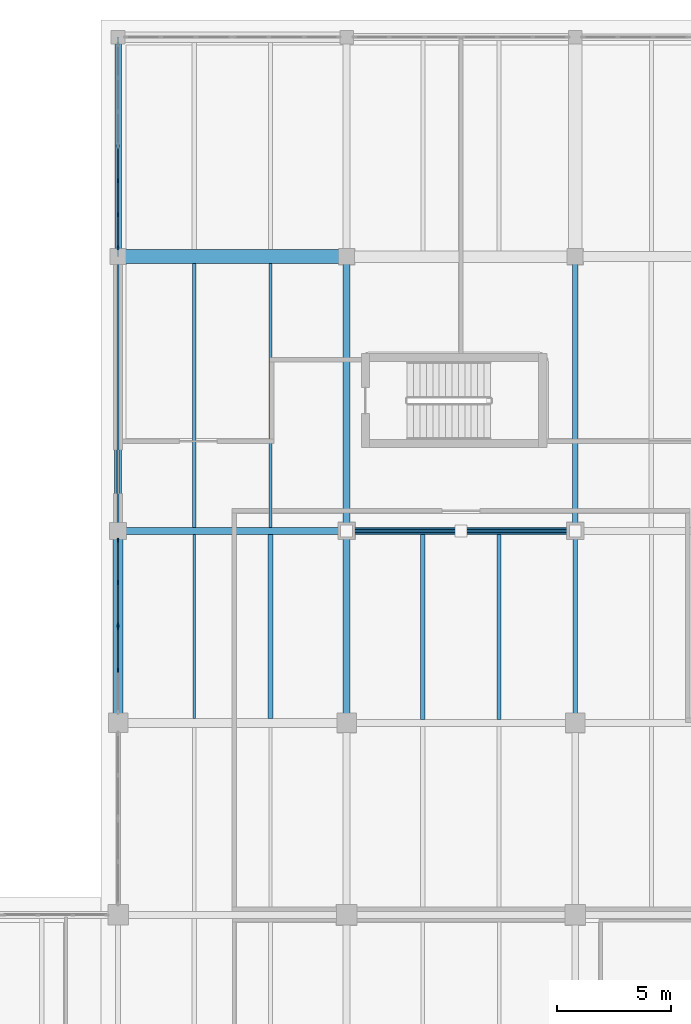
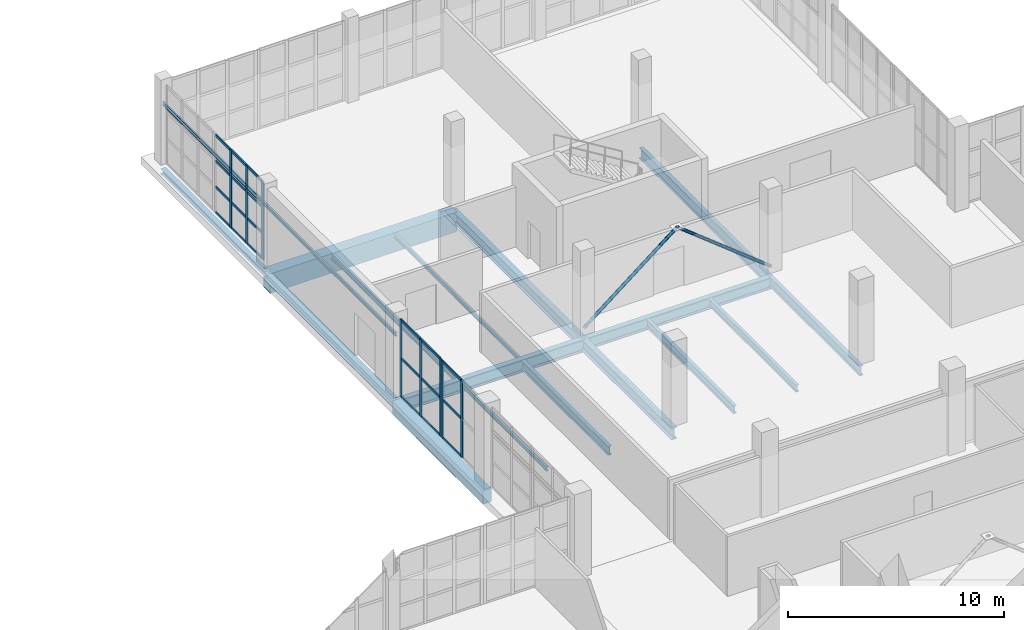
# One storey, part 38 of 121: 31 members, 18 beams, 3 elements without a shape of their own.
"""IFC4 building model written with IfcOpenShell, lengths in metres."""

from ifc_helpers import new_model, si_unit, direction, frame, origin, origin_2d, place, context, subcontext, project, spatial, rectangle, hollow_circle, i_section, extrude, material, layer, layer_set, material_profile, profile_set, type_object, element, aggregate, save


model = new_model("IFC4")

# Units and contexts
model_context = context("Model", 3, precision=1e-05, world=origin(), true_north=direction((0.0, 1.0)))
body_context = subcontext(model_context, "Body", "Model", "MODEL_VIEW")
ifc_project = project(units=[si_unit("LENGTHUNIT", "METRE"), si_unit("AREAUNIT", "SQUARE_METRE"), si_unit("VOLUMEUNIT", "CUBIC_METRE"), si_unit("PLANEANGLEUNIT", "RADIAN"), si_unit("MASSUNIT", "GRAM", prefix="KILO")], contexts=[model_context])

# Site, building, storey
site_placement = place(None, origin())
site = spatial("IfcSite", under=ifc_project, at=site_placement, CompositionType="ELEMENT")
building_placement = place(site_placement, origin())
building = spatial("IfcBuilding", under=site, at=building_placement, Name="Zereglee Splitstone Museum", CompositionType="ELEMENT")
storey_placement = place(building_placement, origin())
storey = spatial("IfcBuildingStorey", under=building, at=storey_placement, Name="L00", CompositionType="ELEMENT", Elevation=0.0)

# Beam
ifc_material_1 = material(Name="Concrete C40/50", Category="concrete")
ifc_material_profile_1 = material_profile(ifc_material_1, rectangle(XDim=0.60009765625, YDim=1.10009765625, at=origin_2d()), Name="RC 600x1100")
ifc_profile_set_1 = profile_set([ifc_material_profile_1], Name="Concrete C40/50")
beam_type_1 = type_object("IfcBeamType", Name="BG-01", PredefinedType="BEAM", material=ifc_profile_set_1)
beam_1_placement = place(storey_placement, frame((175.199951171875, 50.39990234375, -0.969970703125), z_axis=(1.0, 0.0, 0.0), x_axis=(0.0, 1.0, 0.0)))
element("IfcBeam", 1, at=beam_1_placement, inside=storey, type_object=beam_type_1, Name="Primary Girder L00 F (175.2-185.2)", PredefinedType="BEAM", context=body_context, shape_type="SweptSolid", body=[
    extrude(rectangle(XDim=0.60009765625, YDim=1.10009765625, at=origin_2d()), origin(), (0.0, 0.0, 1.0), 10.0),
])

# Members
ifc_material_2 = material(Name="Steel S355J2H", Category="steel")
ifc_material_profile_2 = material_profile(ifc_material_2, hollow_circle(Radius=0.084228515625, WallThickness=0.008056640625, at=origin_2d()), Name="CHS 168.3x8")
ifc_profile_set_2 = profile_set([ifc_material_profile_2], Name="Steel S355J2H")
member_type_1 = type_object("IfcMemberType", Name="TB-05", PredefinedType="BRACE", material=ifc_profile_set_2)
for number, where, z_axis, x_axis, name in (
    (2, (185.199951171875, 38.39990234375, 0.1201171875), (0.783921621613, 0.0, 0.620859799929), (0.0, 1.0, 0.0), "Lateral Braced Frame Chevron L00-019A"),
    (3, (195.199951171875, 38.39990234375, 0.1201171875), (-0.783921621613, 0.0, 0.620859799929), (0.0, -1.0, 0.0), "Lateral Braced Frame Chevron L00-019B"),
):
    element("IfcMember", number, at=place(storey_placement, frame(where, z_axis=z_axis, x_axis=x_axis)), inside=storey, type_object=member_type_1, Name=name, PredefinedType="BRACE", context=body_context, shape_type="SweptSolid", body=[
        extrude(hollow_circle(Radius=0.084228515625, WallThickness=0.008056640625, at=origin_2d()), origin(), (0.0, 0.0, 1.0), 6.378173828125),
    ])

# Curtain wall, members
ifc_material_3 = material(Name="Triple-glazed low-E argon glass and bronze-anodised aluminium", Category="aluminium")
ifc_layer_1 = layer(ifc_material_3, 0.179931640625)
ifc_layer_set_1 = layer_set([ifc_layer_1], Name="Triple-glazed low-E argon glass and bronze-anodised aluminium")
curtain_wall_type_1 = type_object("IfcCurtainWallType", Name="CW-0443-442", PredefinedType="USERDEFINED", material=ifc_layer_set_1)
curtain_wall_1_placement = place(storey_placement, origin())
curtain_wall_1 = element("IfcCurtainWall", 4, at=curtain_wall_1_placement, inside=storey, type_object=curtain_wall_type_1, Name="Glazed Curtain Wall CW-0443-442 (L00)", ObjectType="GLAZED CURTAIN WALL", PredefinedType="USERDEFINED")
ifc_material_4 = material(Name="Thermally broken bronze-anodised aluminium", Category="aluminium")
ifc_material_profile_3 = material_profile(ifc_material_4, rectangle(XDim=0.06494140625, YDim=0.179931640625, at=origin_2d()), Name="CW MULL 65x180")
ifc_profile_set_3 = profile_set([ifc_material_profile_3], Name="Thermally broken bronze-anodised aluminium")
member_type_2 = type_object("IfcMemberType", Name="CWM-01", PredefinedType="MULLION", material=ifc_profile_set_3)
member_1_placement = place(storey_placement, frame((175.199951171875, 53.709228515625, 0.0), z_axis=(0.0, 0.0, 1.0), x_axis=(1.0, 0.0, 0.0)))
member_1 = element("IfcMember", 5, at=member_1_placement, type_object=member_type_2, Name="CW-0443-442 mullion 2", PredefinedType="MULLION", context=body_context, shape_type="SweptSolid", body=[
    extrude(rectangle(XDim=0.06494140625, YDim=0.179931640625, at=origin_2d()), origin(), (0.0, 0.0, 1.0), 4.419921875),
])
member_2_placement = place(storey_placement, frame((175.199951171875, 52.233642578125, 0.0), z_axis=(0.0, 0.0, 1.0), x_axis=(1.0, 0.0, 0.0)))
member_2 = element("IfcMember", 6, at=member_2_placement, type_object=member_type_2, Name="CW-0443-442 mullion 3", PredefinedType="MULLION", context=body_context, shape_type="SweptSolid", body=[
    extrude(rectangle(XDim=0.06494140625, YDim=0.179931640625, at=origin_2d()), origin(), (0.0, 0.0, 1.0), 4.419921875),
])
member_3_placement = place(storey_placement, frame((175.199951171875, 50.79052734375, 0.0), z_axis=(0.0, 0.0, 1.0), x_axis=(1.0, 0.0, 0.0)))
member_3 = element("IfcMember", 7, at=member_3_placement, type_object=member_type_2, Name="CW-0443-442 mullion 4", PredefinedType="MULLION", context=body_context, shape_type="SweptSolid", body=[
    extrude(rectangle(XDim=0.06494140625, YDim=0.179931640625, at=origin_2d()), origin(), (0.0, 0.0, 1.0), 4.419921875),
])

ifc_layer_2 = layer(ifc_material_3, 0.179931640625)
ifc_layer_set_2 = layer_set([ifc_layer_2], Name="Triple-glazed low-E argon glass and bronze-anodised aluminium")
curtain_wall_type_2 = type_object("IfcCurtainWallType", Name="CW-0375-438", PredefinedType="USERDEFINED", material=ifc_layer_set_2)
curtain_wall_2_placement = place(storey_placement, origin())
curtain_wall_2 = element("IfcCurtainWall", 8, at=curtain_wall_2_placement, inside=storey, type_object=curtain_wall_type_2, Name="Glazed Curtain Wall CW-0375-438 (L00)", ObjectType="GLAZED CURTAIN WALL", PredefinedType="USERDEFINED")
member_4_placement = place(storey_placement, frame((175.199951171875, 37.984619140625, 0.0), z_axis=(0.0, 0.0, 1.0), x_axis=(1.0, 0.0, 0.0)))
member_4 = element("IfcMember", 9, at=member_4_placement, type_object=member_type_2, Name="CW-0375-438 mullion 1", PredefinedType="MULLION", context=body_context, shape_type="SweptSolid", body=[
    extrude(rectangle(XDim=0.06494140625, YDim=0.179931640625, at=origin_2d()), origin(), (0.0, 0.0, 1.0), 4.3798828125),
])
member_5_placement = place(storey_placement, frame((175.199951171875, 36.14111328125, 0.0), z_axis=(0.0, 0.0, 1.0), x_axis=(1.0, 0.0, 0.0)))
member_5 = element("IfcMember", 10, at=member_5_placement, type_object=member_type_2, Name="CW-0375-438 mullion 2", PredefinedType="MULLION", context=body_context, shape_type="SweptSolid", body=[
    extrude(rectangle(XDim=0.06494140625, YDim=0.179931640625, at=origin_2d()), origin(), (0.0, 0.0, 1.0), 4.3798828125),
])
member_6_placement = place(storey_placement, frame((175.199951171875, 34.297607421875, 0.0), z_axis=(0.0, 0.0, 1.0), x_axis=(1.0, 0.0, 0.0)))
member_6 = element("IfcMember", 11, at=member_6_placement, type_object=member_type_2, Name="CW-0375-438 mullion 3", PredefinedType="MULLION", context=body_context, shape_type="SweptSolid", body=[
    extrude(rectangle(XDim=0.06494140625, YDim=0.179931640625, at=origin_2d()), origin(), (0.0, 0.0, 1.0), 4.3798828125),
])

ifc_layer_3 = layer(ifc_material_3, 0.179931640625)
ifc_layer_set_3 = layer_set([ifc_layer_3], Name="Triple-glazed low-E argon glass and bronze-anodised aluminium")
curtain_wall_type_3 = type_object("IfcCurtainWallType", Name="CW-0375-436", PredefinedType="USERDEFINED", material=ifc_layer_set_3)
curtain_wall_3_placement = place(storey_placement, origin())
curtain_wall_3 = element("IfcCurtainWall", 12, at=curtain_wall_3_placement, inside=storey, type_object=curtain_wall_type_3, Name="Glazed Curtain Wall CW-0375-436 (L00)", ObjectType="GLAZED CURTAIN WALL", PredefinedType="USERDEFINED")
member_7_placement = place(storey_placement, frame((175.199951171875, 34.152587890625, 0.0), z_axis=(0.0, 0.0, 1.0), x_axis=(1.0, 0.0, 0.0)))
member_7 = element("IfcMember", 13, at=member_7_placement, type_object=member_type_2, Name="CW-0375-436 mullion 1", PredefinedType="MULLION", context=body_context, shape_type="SweptSolid", body=[
    extrude(rectangle(XDim=0.06494140625, YDim=0.179931640625, at=origin_2d()), origin(), (0.0, 0.0, 1.0), 4.360107421875),
])
member_8_placement = place(storey_placement, frame((175.199951171875, 32.30908203125, 0.0), z_axis=(0.0, 0.0, 1.0), x_axis=(1.0, 0.0, 0.0)))
member_8 = element("IfcMember", 14, at=member_8_placement, type_object=member_type_2, Name="CW-0375-436 mullion 2", PredefinedType="MULLION", context=body_context, shape_type="SweptSolid", body=[
    extrude(rectangle(XDim=0.06494140625, YDim=0.179931640625, at=origin_2d()), origin(), (0.0, 0.0, 1.0), 4.360107421875),
])

# Member
ifc_material_profile_4 = material_profile(ifc_material_4, rectangle(XDim=0.06494140625, YDim=0.139892578125, at=origin_2d()), Name="CW TRAN 65x140")
ifc_profile_set_4 = profile_set([ifc_material_profile_4], Name="Thermally broken bronze-anodised aluminium")
member_type_3 = type_object("IfcMemberType", Name="CWT-01", PredefinedType="USERDEFINED", material=ifc_profile_set_4)
member_9_placement = place(storey_placement, frame((175.199951171875, 55.1201171875, 0.032470703125), z_axis=(0.0, -1.0, 0.0), x_axis=(1.0, 0.0, 0.0)))
member_9 = element("IfcMember", 15, at=member_9_placement, type_object=member_type_3, Name="CW-0443-442 transom 1.1", ObjectType="TRANSOM", PredefinedType="USERDEFINED", context=body_context, shape_type="SweptSolid", body=[
    extrude(rectangle(XDim=0.06494140625, YDim=0.139892578125, at=origin_2d()), origin(), (0.0, 0.0, 1.0), 1.378173828125),
])

member_10_placement = place(storey_placement, frame((175.199951171875, 55.1201171875, 1.473388671875), z_axis=(0.0, -1.0, 0.0), x_axis=(1.0, 0.0, 0.0)))
member_10 = element("IfcMember", 16, at=member_10_placement, type_object=member_type_3, Name="CW-0443-442 transom 1.2", ObjectType="TRANSOM", PredefinedType="USERDEFINED", context=body_context, shape_type="SweptSolid", body=[
    extrude(rectangle(XDim=0.06494140625, YDim=0.139892578125, at=origin_2d()), origin(), (0.0, 0.0, 1.0), 1.378173828125),
])

member_11_placement = place(storey_placement, frame((175.199951171875, 55.1201171875, 2.94677734375), z_axis=(0.0, -1.0, 0.0), x_axis=(1.0, 0.0, 0.0)))
member_11 = element("IfcMember", 17, at=member_11_placement, type_object=member_type_3, Name="CW-0443-442 transom 1.3", ObjectType="TRANSOM", PredefinedType="USERDEFINED", context=body_context, shape_type="SweptSolid", body=[
    extrude(rectangle(XDim=0.06494140625, YDim=0.139892578125, at=origin_2d()), origin(), (0.0, 0.0, 1.0), 1.378173828125),
])

member_12_placement = place(storey_placement, frame((175.199951171875, 55.1201171875, 4.387451171875), z_axis=(0.0, -1.0, 0.0), x_axis=(1.0, 0.0, 0.0)))
member_12 = element("IfcMember", 18, at=member_12_placement, type_object=member_type_3, Name="CW-0443-442 transom 1.4", ObjectType="TRANSOM", PredefinedType="USERDEFINED", context=body_context, shape_type="SweptSolid", body=[
    extrude(rectangle(XDim=0.06494140625, YDim=0.139892578125, at=origin_2d()), origin(), (0.0, 0.0, 1.0), 1.378173828125),
])

member_13_placement = place(storey_placement, frame((175.199951171875, 53.6767578125, 0.032470703125), z_axis=(0.0, -1.0, 0.0), x_axis=(1.0, 0.0, 0.0)))
member_13 = element("IfcMember", 19, at=member_13_placement, type_object=member_type_3, Name="CW-0443-442 transom 2.1", ObjectType="TRANSOM", PredefinedType="USERDEFINED", context=body_context, shape_type="SweptSolid", body=[
    extrude(rectangle(XDim=0.06494140625, YDim=0.139892578125, at=origin_2d()), origin(), (0.0, 0.0, 1.0), 1.41064453125),
])

member_14_placement = place(storey_placement, frame((175.199951171875, 53.6767578125, 1.473388671875), z_axis=(0.0, -1.0, 0.0), x_axis=(1.0, 0.0, 0.0)))
member_14 = element("IfcMember", 20, at=member_14_placement, type_object=member_type_3, Name="CW-0443-442 transom 2.2", ObjectType="TRANSOM", PredefinedType="USERDEFINED", context=body_context, shape_type="SweptSolid", body=[
    extrude(rectangle(XDim=0.06494140625, YDim=0.139892578125, at=origin_2d()), origin(), (0.0, 0.0, 1.0), 1.41064453125),
])

member_15_placement = place(storey_placement, frame((175.199951171875, 53.6767578125, 2.94677734375), z_axis=(0.0, -1.0, 0.0), x_axis=(1.0, 0.0, 0.0)))
member_15 = element("IfcMember", 21, at=member_15_placement, type_object=member_type_3, Name="CW-0443-442 transom 2.3", ObjectType="TRANSOM", PredefinedType="USERDEFINED", context=body_context, shape_type="SweptSolid", body=[
    extrude(rectangle(XDim=0.06494140625, YDim=0.139892578125, at=origin_2d()), origin(), (0.0, 0.0, 1.0), 1.41064453125),
])

member_16_placement = place(storey_placement, frame((175.199951171875, 53.6767578125, 4.387451171875), z_axis=(0.0, -1.0, 0.0), x_axis=(1.0, 0.0, 0.0)))
member_16 = element("IfcMember", 22, at=member_16_placement, type_object=member_type_3, Name="CW-0443-442 transom 2.4", ObjectType="TRANSOM", PredefinedType="USERDEFINED", context=body_context, shape_type="SweptSolid", body=[
    extrude(rectangle(XDim=0.06494140625, YDim=0.139892578125, at=origin_2d()), origin(), (0.0, 0.0, 1.0), 1.41064453125),
])

member_17_placement = place(storey_placement, frame((175.199951171875, 52.201171875, 0.032470703125), z_axis=(0.0, -1.0, 0.0), x_axis=(1.0, 0.0, 0.0)))
member_17 = element("IfcMember", 23, at=member_17_placement, type_object=member_type_3, Name="CW-0443-442 transom 3.1", ObjectType="TRANSOM", PredefinedType="USERDEFINED", context=body_context, shape_type="SweptSolid", body=[
    extrude(rectangle(XDim=0.06494140625, YDim=0.139892578125, at=origin_2d()), origin(), (0.0, 0.0, 1.0), 1.378173828125),
])

member_18_placement = place(storey_placement, frame((175.199951171875, 52.201171875, 1.473388671875), z_axis=(0.0, -1.0, 0.0), x_axis=(1.0, 0.0, 0.0)))
member_18 = element("IfcMember", 24, at=member_18_placement, type_object=member_type_3, Name="CW-0443-442 transom 3.2", ObjectType="TRANSOM", PredefinedType="USERDEFINED", context=body_context, shape_type="SweptSolid", body=[
    extrude(rectangle(XDim=0.06494140625, YDim=0.139892578125, at=origin_2d()), origin(), (0.0, 0.0, 1.0), 1.378173828125),
])

member_19_placement = place(storey_placement, frame((175.199951171875, 52.201171875, 2.94677734375), z_axis=(0.0, -1.0, 0.0), x_axis=(1.0, 0.0, 0.0)))
member_19 = element("IfcMember", 25, at=member_19_placement, type_object=member_type_3, Name="CW-0443-442 transom 3.3", ObjectType="TRANSOM", PredefinedType="USERDEFINED", context=body_context, shape_type="SweptSolid", body=[
    extrude(rectangle(XDim=0.06494140625, YDim=0.139892578125, at=origin_2d()), origin(), (0.0, 0.0, 1.0), 1.378173828125),
])

member_20_placement = place(storey_placement, frame((175.199951171875, 52.201171875, 4.387451171875), z_axis=(0.0, -1.0, 0.0), x_axis=(1.0, 0.0, 0.0)))
member_20 = element("IfcMember", 26, at=member_20_placement, type_object=member_type_3, Name="CW-0443-442 transom 3.4", ObjectType="TRANSOM", PredefinedType="USERDEFINED", context=body_context, shape_type="SweptSolid", body=[
    extrude(rectangle(XDim=0.06494140625, YDim=0.139892578125, at=origin_2d()), origin(), (0.0, 0.0, 1.0), 1.378173828125),
])

aggregate(curtain_wall_1, [member_1, member_2, member_3, member_9, member_10, member_11, member_12, member_13, member_14, member_15, member_16, member_17, member_18, member_19, member_20])

member_21_placement = place(storey_placement, frame((175.199951171875, 37.951904296875, 0.032470703125), z_axis=(0.0, -1.0, 0.0), x_axis=(1.0, 0.0, 0.0)))
member_21 = element("IfcMember", 27, at=member_21_placement, type_object=member_type_3, Name="CW-0375-438 transom 1.1", ObjectType="TRANSOM", PredefinedType="USERDEFINED", context=body_context, shape_type="SweptSolid", body=[
    extrude(rectangle(XDim=0.06494140625, YDim=0.139892578125, at=origin_2d()), origin(), (0.0, 0.0, 1.0), 1.7783203125),
])

member_22_placement = place(storey_placement, frame((175.199951171875, 37.951904296875, 2.18994140625), z_axis=(0.0, -1.0, 0.0), x_axis=(1.0, 0.0, 0.0)))
member_22 = element("IfcMember", 28, at=member_22_placement, type_object=member_type_3, Name="CW-0375-438 transom 1.2", ObjectType="TRANSOM", PredefinedType="USERDEFINED", context=body_context, shape_type="SweptSolid", body=[
    extrude(rectangle(XDim=0.06494140625, YDim=0.139892578125, at=origin_2d()), origin(), (0.0, 0.0, 1.0), 1.7783203125),
])

member_23_placement = place(storey_placement, frame((175.199951171875, 37.951904296875, 4.347412109375), z_axis=(0.0, -1.0, 0.0), x_axis=(1.0, 0.0, 0.0)))
member_23 = element("IfcMember", 29, at=member_23_placement, type_object=member_type_3, Name="CW-0375-438 transom 1.3", ObjectType="TRANSOM", PredefinedType="USERDEFINED", context=body_context, shape_type="SweptSolid", body=[
    extrude(rectangle(XDim=0.06494140625, YDim=0.139892578125, at=origin_2d()), origin(), (0.0, 0.0, 1.0), 1.7783203125),
])

member_24_placement = place(storey_placement, frame((175.199951171875, 36.1083984375, 0.032470703125), z_axis=(0.0, -1.0, 0.0), x_axis=(1.0, 0.0, 0.0)))
member_24 = element("IfcMember", 30, at=member_24_placement, type_object=member_type_3, Name="CW-0375-438 transom 2.1", ObjectType="TRANSOM", PredefinedType="USERDEFINED", context=body_context, shape_type="SweptSolid", body=[
    extrude(rectangle(XDim=0.06494140625, YDim=0.139892578125, at=origin_2d()), origin(), (0.0, 0.0, 1.0), 1.7783203125),
])

member_25_placement = place(storey_placement, frame((175.199951171875, 36.1083984375, 2.18994140625), z_axis=(0.0, -1.0, 0.0), x_axis=(1.0, 0.0, 0.0)))
member_25 = element("IfcMember", 31, at=member_25_placement, type_object=member_type_3, Name="CW-0375-438 transom 2.2", ObjectType="TRANSOM", PredefinedType="USERDEFINED", context=body_context, shape_type="SweptSolid", body=[
    extrude(rectangle(XDim=0.06494140625, YDim=0.139892578125, at=origin_2d()), origin(), (0.0, 0.0, 1.0), 1.7783203125),
])

member_26_placement = place(storey_placement, frame((175.199951171875, 36.1083984375, 4.347412109375), z_axis=(0.0, -1.0, 0.0), x_axis=(1.0, 0.0, 0.0)))
member_26 = element("IfcMember", 32, at=member_26_placement, type_object=member_type_3, Name="CW-0375-438 transom 2.3", ObjectType="TRANSOM", PredefinedType="USERDEFINED", context=body_context, shape_type="SweptSolid", body=[
    extrude(rectangle(XDim=0.06494140625, YDim=0.139892578125, at=origin_2d()), origin(), (0.0, 0.0, 1.0), 1.7783203125),
])

aggregate(curtain_wall_2, [member_4, member_5, member_6, member_21, member_22, member_23, member_24, member_25, member_26])

member_27_placement = place(storey_placement, frame((175.199951171875, 34.1201171875, 0.032470703125), z_axis=(0.0, -1.0, 0.0), x_axis=(1.0, 0.0, 0.0)))
member_27 = element("IfcMember", 33, at=member_27_placement, type_object=member_type_3, Name="CW-0375-436 transom 1.1", ObjectType="TRANSOM", PredefinedType="USERDEFINED", context=body_context, shape_type="SweptSolid", body=[
    extrude(rectangle(XDim=0.06494140625, YDim=0.139892578125, at=origin_2d()), origin(), (0.0, 0.0, 1.0), 1.778564453125),
])

member_28_placement = place(storey_placement, frame((175.199951171875, 34.1201171875, 2.179931640625), z_axis=(0.0, -1.0, 0.0), x_axis=(1.0, 0.0, 0.0)))
member_28 = element("IfcMember", 34, at=member_28_placement, type_object=member_type_3, Name="CW-0375-436 transom 1.2", ObjectType="TRANSOM", PredefinedType="USERDEFINED", context=body_context, shape_type="SweptSolid", body=[
    extrude(rectangle(XDim=0.06494140625, YDim=0.139892578125, at=origin_2d()), origin(), (0.0, 0.0, 1.0), 1.778564453125),
])

member_29_placement = place(storey_placement, frame((175.199951171875, 34.1201171875, 4.327392578125), z_axis=(0.0, -1.0, 0.0), x_axis=(1.0, 0.0, 0.0)))
member_29 = element("IfcMember", 35, at=member_29_placement, type_object=member_type_3, Name="CW-0375-436 transom 1.3", ObjectType="TRANSOM", PredefinedType="USERDEFINED", context=body_context, shape_type="SweptSolid", body=[
    extrude(rectangle(XDim=0.06494140625, YDim=0.139892578125, at=origin_2d()), origin(), (0.0, 0.0, 1.0), 1.778564453125),
])

aggregate(curtain_wall_3, [member_7, member_8, member_27, member_28, member_29])

# Beams
ifc_material_5 = material(Name="Steel S355J2", Category="steel")
ifc_material_profile_5 = material_profile(ifc_material_5, i_section(OverallWidth=0.300048828125, OverallDepth=0.60009765625, WebThickness=0.015380859375, FlangeThickness=0.030029296875, FilletRadius=0.027099609375, at=origin_2d()), Name="HE 600 B")
ifc_profile_set_5 = profile_set([ifc_material_profile_5], Name="Steel S355J2")
beam_type_2 = type_object("IfcBeamType", Name="BG-10", PredefinedType="BEAM", material=ifc_profile_set_5)
beam_2_placement = place(storey_placement, frame((185.199951171875, 38.39990234375, -0.719970703125), z_axis=(0.0, 1.0, 0.0), x_axis=(-1.0, 0.0, 0.0)))
element("IfcBeam", 36, at=beam_2_placement, inside=storey, type_object=beam_type_2, Name="Primary Girder L00 21 (38.4-50.4)", PredefinedType="BEAM", context=body_context, shape_type="SweptSolid", body=[
    extrude(i_section(OverallWidth=0.300048828125, OverallDepth=0.60009765625, WebThickness=0.015380859375, FlangeThickness=0.030029296875, FilletRadius=0.027099609375, at=origin_2d()), origin(), (0.0, 0.0, 1.0), 12.0),
])
ifc_material_profile_6 = material_profile(ifc_material_5, i_section(OverallWidth=0.300048828125, OverallDepth=0.64990234375, WebThickness=0.01611328125, FlangeThickness=0.031005859375, FilletRadius=0.027099609375, at=origin_2d()), Name="HE 650 B")
ifc_profile_set_6 = profile_set([ifc_material_profile_6], Name="Steel S355J2")
beam_type_3 = type_object("IfcBeamType", Name="BG-09", PredefinedType="BEAM", material=ifc_profile_set_6)
beam_3_placement = place(storey_placement, frame((185.199951171875, 38.39990234375, -0.7451171875), z_axis=(1.0, 0.0, 0.0), x_axis=(0.0, 1.0, 0.0)))
element("IfcBeam", 37, at=beam_3_placement, inside=storey, type_object=beam_type_3, Name="Primary Girder L00 E (185.2-195.2)", PredefinedType="BEAM", context=body_context, shape_type="SweptSolid", body=[
    extrude(i_section(OverallWidth=0.300048828125, OverallDepth=0.64990234375, WebThickness=0.01611328125, FlangeThickness=0.031005859375, FilletRadius=0.027099609375, at=origin_2d()), origin(), (0.0, 0.0, 1.0), 10.0),
])
beam_4_placement = place(storey_placement, frame((185.199951171875, 30.0, -0.7451171875), z_axis=(0.0, 1.0, 0.0), x_axis=(-1.0, 0.0, 0.0)))
element("IfcBeam", 38, at=beam_4_placement, inside=storey, type_object=beam_type_3, Name="Primary Girder L00 21 (30.0-38.4)", PredefinedType="BEAM", context=body_context, shape_type="SweptSolid", body=[
    extrude(i_section(OverallWidth=0.300048828125, OverallDepth=0.64990234375, WebThickness=0.01611328125, FlangeThickness=0.031005859375, FilletRadius=0.027099609375, at=origin_2d()), origin(), (0.0, 0.0, 1.0), 8.39990234375),
])
ifc_material_profile_7 = material_profile(ifc_material_5, i_section(OverallWidth=0.300048828125, OverallDepth=0.699951171875, WebThickness=0.01708984375, FlangeThickness=0.031982421875, FilletRadius=0.027099609375, at=origin_2d()), Name="HE 700 B")
ifc_profile_set_7 = profile_set([ifc_material_profile_7], Name="Steel S355J2")
beam_type_4 = type_object("IfcBeamType", Name="BG-08", PredefinedType="BEAM", material=ifc_profile_set_7)
beam_5_placement = place(storey_placement, frame((175.199951171875, 38.39990234375, -0.77001953125), z_axis=(1.0, 0.0, 0.0), x_axis=(0.0, 1.0, 0.0)))
element("IfcBeam", 39, at=beam_5_placement, inside=storey, type_object=beam_type_4, Name="Primary Girder L00 E (175.2-185.2)", PredefinedType="BEAM", context=body_context, shape_type="SweptSolid", body=[
    extrude(i_section(OverallWidth=0.300048828125, OverallDepth=0.699951171875, WebThickness=0.01708984375, FlangeThickness=0.031982421875, FilletRadius=0.027099609375, at=origin_2d()), origin(), (0.0, 0.0, 1.0), 10.0),
])
ifc_material_profile_8 = material_profile(ifc_material_5, i_section(OverallWidth=0.2099609375, OverallDepth=0.550048828125, WebThickness=0.010986328125, FlangeThickness=0.01708984375, FilletRadius=0.02392578125, at=origin_2d()), Name="IPE 550")
ifc_profile_set_8 = profile_set([ifc_material_profile_8], Name="Steel S355J2")
beam_type_5 = type_object("IfcBeamType", Name="BG-16", PredefinedType="BEAM", material=ifc_profile_set_8)
beam_6_placement = place(storey_placement, frame((195.199951171875, 30.0, -0.695068359375), z_axis=(0.0, 1.0, 0.0), x_axis=(-1.0, 0.0, 0.0)))
element("IfcBeam", 40, at=beam_6_placement, inside=storey, type_object=beam_type_5, Name="Primary Girder L00 22 (30.0-38.4)", PredefinedType="BEAM", context=body_context, shape_type="SweptSolid", body=[
    extrude(i_section(OverallWidth=0.2099609375, OverallDepth=0.550048828125, WebThickness=0.010986328125, FlangeThickness=0.01708984375, FilletRadius=0.02392578125, at=origin_2d()), origin(), (0.0, 0.0, 1.0), 8.39990234375),
])
ifc_material_profile_9 = material_profile(ifc_material_5, i_section(OverallWidth=0.219970703125, OverallDepth=0.60009765625, WebThickness=0.011962890625, FlangeThickness=0.01904296875, FilletRadius=0.02392578125, at=origin_2d()), Name="IPE 600")
ifc_profile_set_9 = profile_set([ifc_material_profile_9], Name="Steel S355J2")
beam_type_6 = type_object("IfcBeamType", Name="BG-15", PredefinedType="BEAM", material=ifc_profile_set_9)
beam_7_placement = place(storey_placement, frame((195.199951171875, 38.39990234375, -0.719970703125), z_axis=(0.0, 1.0, 0.0), x_axis=(-1.0, 0.0, 0.0)))
element("IfcBeam", 41, at=beam_7_placement, inside=storey, type_object=beam_type_6, Name="Primary Girder L00 22 (38.4-50.4)", PredefinedType="BEAM", context=body_context, shape_type="SweptSolid", body=[
    extrude(i_section(OverallWidth=0.219970703125, OverallDepth=0.60009765625, WebThickness=0.011962890625, FlangeThickness=0.01904296875, FilletRadius=0.02392578125, at=origin_2d()), origin(), (0.0, 0.0, 1.0), 12.0),
])
ifc_material_profile_10 = material_profile(ifc_material_5, i_section(OverallWidth=0.1201171875, OverallDepth=0.239990234375, WebThickness=0.006103515625, FlangeThickness=0.009765625, FilletRadius=0.014892578125, at=origin_2d()), Name="IPE 240")
ifc_profile_set_10 = profile_set([ifc_material_profile_10], Name="Steel S355J2")
beam_type_7 = type_object("IfcBeamType", Name="BJ-07", PredefinedType="JOIST", material=ifc_profile_set_10)
beam_8_placement = place(storey_placement, frame((178.533203125, 30.199951171875, -0.5400390625), z_axis=(0.0, 1.0, 0.0), x_axis=(-1.0, 0.0, 0.0)))
element("IfcBeam", 42, at=beam_8_placement, inside=storey, type_object=beam_type_7, Name="Secondary Floor Joist L00-0363", PredefinedType="JOIST", context=body_context, shape_type="SweptSolid", body=[
    extrude(i_section(OverallWidth=0.1201171875, OverallDepth=0.239990234375, WebThickness=0.006103515625, FlangeThickness=0.009765625, FilletRadius=0.014892578125, at=origin_2d()), origin(), (0.0, 0.0, 1.0), 8.050048828125),
])
beam_9_placement = place(storey_placement, frame((181.86669921875, 38.550048828125, -0.5400390625), z_axis=(0.0, 1.0, 0.0), x_axis=(-1.0, 0.0, 0.0)))
element("IfcBeam", 43, at=beam_9_placement, inside=storey, type_object=beam_type_7, Name="Secondary Floor Joist L00-0405", PredefinedType="JOIST", context=body_context, shape_type="SweptSolid", body=[
    extrude(i_section(OverallWidth=0.1201171875, OverallDepth=0.239990234375, WebThickness=0.006103515625, FlangeThickness=0.009765625, FilletRadius=0.014892578125, at=origin_2d()), origin(), (0.0, 0.0, 1.0), 11.550048828125),
])
ifc_material_profile_11 = material_profile(ifc_material_5, i_section(OverallWidth=0.14990234375, OverallDepth=0.300048828125, WebThickness=0.007080078125, FlangeThickness=0.0107421875, FilletRadius=0.014892578125, at=origin_2d()), Name="IPE 300")
ifc_profile_set_11 = profile_set([ifc_material_profile_11], Name="Steel S355J2")
beam_type_8 = type_object("IfcBeamType", Name="BJ-06", PredefinedType="JOIST", material=ifc_profile_set_11)
beam_10_placement = place(storey_placement, frame((178.533203125, 38.550048828125, -0.570068359375), z_axis=(0.0, 1.0, 0.0), x_axis=(-1.0, 0.0, 0.0)))
element("IfcBeam", 44, at=beam_10_placement, inside=storey, type_object=beam_type_8, Name="Secondary Floor Joist L00-0404", PredefinedType="JOIST", context=body_context, shape_type="SweptSolid", body=[
    extrude(i_section(OverallWidth=0.14990234375, OverallDepth=0.300048828125, WebThickness=0.007080078125, FlangeThickness=0.0107421875, FilletRadius=0.014892578125, at=origin_2d()), origin(), (0.0, 0.0, 1.0), 11.550048828125),
])
ifc_material_profile_12 = material_profile(ifc_material_5, i_section(OverallWidth=0.179931640625, OverallDepth=0.39990234375, WebThickness=0.008544921875, FlangeThickness=0.013427734375, FilletRadius=0.02099609375, at=origin_2d()), Name="IPE 400")
ifc_profile_set_12 = profile_set([ifc_material_profile_12], Name="Steel S355J2")
beam_type_9 = type_object("IfcBeamType", Name="BJ-03", PredefinedType="JOIST", material=ifc_profile_set_12)
beam_11_placement = place(storey_placement, frame((191.86669921875, 30.14990234375, -0.6201171875), z_axis=(0.0, 1.0, 0.0), x_axis=(-1.0, 0.0, 0.0)))
element("IfcBeam", 45, at=beam_11_placement, inside=storey, type_object=beam_type_9, Name="Secondary Floor Joist L00-0366", PredefinedType="JOIST", context=body_context, shape_type="SweptSolid", body=[
    extrude(i_section(OverallWidth=0.179931640625, OverallDepth=0.39990234375, WebThickness=0.008544921875, FlangeThickness=0.013427734375, FilletRadius=0.02099609375, at=origin_2d()), origin(), (0.0, 0.0, 1.0), 8.10009765625),
])
ifc_material_profile_13 = material_profile(ifc_material_5, i_section(OverallWidth=0.18994140625, OverallDepth=0.449951171875, WebThickness=0.009521484375, FlangeThickness=0.0146484375, FilletRadius=0.02099609375, at=origin_2d()), Name="IPE 450")
ifc_profile_set_13 = profile_set([ifc_material_profile_13], Name="Steel S355J2")
beam_type_10 = type_object("IfcBeamType", Name="BJ-02", PredefinedType="JOIST", material=ifc_profile_set_13)
beam_12_placement = place(storey_placement, frame((188.533203125, 30.14990234375, -0.64501953125), z_axis=(0.0, 1.0, 0.0), x_axis=(-1.0, 0.0, 0.0)))
element("IfcBeam", 46, at=beam_12_placement, inside=storey, type_object=beam_type_10, Name="Secondary Floor Joist L00-0365", PredefinedType="JOIST", context=body_context, shape_type="SweptSolid", body=[
    extrude(i_section(OverallWidth=0.18994140625, OverallDepth=0.449951171875, WebThickness=0.009521484375, FlangeThickness=0.0146484375, FilletRadius=0.02099609375, at=origin_2d()), origin(), (0.0, 0.0, 1.0), 8.10009765625),
])
ifc_material_profile_14 = material_profile(ifc_material_5, i_section(OverallWidth=0.199951171875, OverallDepth=0.5, WebThickness=0.01025390625, FlangeThickness=0.01611328125, FilletRadius=0.02099609375, at=origin_2d()), Name="IPE 500")
ifc_profile_set_14 = profile_set([ifc_material_profile_14], Name="Steel S355J2")
beam_type_11 = type_object("IfcBeamType", Name="BJ-01", PredefinedType="JOIST", material=ifc_profile_set_14)
beam_13_placement = place(storey_placement, frame((181.86669921875, 30.199951171875, -0.669921875), z_axis=(0.0, 1.0, 0.0), x_axis=(-1.0, 0.0, 0.0)))
element("IfcBeam", 47, at=beam_13_placement, inside=storey, type_object=beam_type_11, Name="Secondary Floor Joist L00-0364", PredefinedType="JOIST", context=body_context, shape_type="SweptSolid", body=[
    extrude(i_section(OverallWidth=0.199951171875, OverallDepth=0.5, WebThickness=0.01025390625, FlangeThickness=0.01611328125, FilletRadius=0.02099609375, at=origin_2d()), origin(), (0.0, 0.0, 1.0), 8.050048828125),
])
ifc_material_profile_15 = material_profile(ifc_material_5, i_section(OverallWidth=0.10009765625, OverallDepth=0.199951171875, WebThickness=0.005615234375, FlangeThickness=0.008544921875, FilletRadius=0.011962890625, at=origin_2d()), Name="IPE 200")
ifc_profile_set_15 = profile_set([ifc_material_profile_15], Name="Steel S355J2")
beam_type_12 = type_object("IfcBeamType", Name="LN-02", PredefinedType="LINTEL", material=ifc_profile_set_15)
beam_14_placement = place(storey_placement, frame((175.199951171875, 38.39990234375, 3.25), z_axis=(0.0, 1.0, 0.0), x_axis=(-1.0, 0.0, 0.0)))
element("IfcBeam", 48, at=beam_14_placement, inside=storey, type_object=beam_type_12, Name="Pishtaq Portal Lintel LNT-11", PredefinedType="LINTEL", context=body_context, shape_type="SweptSolid", body=[
    extrude(i_section(OverallWidth=0.10009765625, OverallDepth=0.199951171875, WebThickness=0.005615234375, FlangeThickness=0.008544921875, FilletRadius=0.011962890625, at=origin_2d()), origin(), (0.0, 0.0, 1.0), 12.0),
])
beam_15_placement = place(storey_placement, frame((175.199951171875, 50.39990234375, 3.25), z_axis=(0.0, 1.0, 0.0), x_axis=(-1.0, 0.0, 0.0)))
element("IfcBeam", 49, at=beam_15_placement, inside=storey, type_object=beam_type_12, Name="Pishtaq Portal Lintel LNT-12", PredefinedType="LINTEL", context=body_context, shape_type="SweptSolid", body=[
    extrude(i_section(OverallWidth=0.10009765625, OverallDepth=0.199951171875, WebThickness=0.005615234375, FlangeThickness=0.008544921875, FilletRadius=0.011962890625, at=origin_2d()), origin(), (0.0, 0.0, 1.0), 9.60009765625),
])
ifc_material_profile_16 = material_profile(ifc_material_5, i_section(OverallWidth=0.280029296875, OverallDepth=0.280029296875, WebThickness=0.010498046875, FlangeThickness=0.01806640625, FilletRadius=0.02392578125, at=origin_2d()), Name="HE 280 B")
ifc_profile_set_16 = profile_set([ifc_material_profile_16], Name="Steel S355J2")
beam_type_13 = type_object("IfcBeamType", Name="SP-03", PredefinedType="SPANDREL", material=ifc_profile_set_16)
beam_16_placement = place(storey_placement, frame((175.199951171875, 50.39990234375, -0.56005859375), z_axis=(0.0, 1.0, 0.0), x_axis=(-1.0, 0.0, 0.0)))
element("IfcBeam", 50, at=beam_16_placement, inside=storey, type_object=beam_type_13, Name="Primary Girder L00 20 (50.4-60.0)", PredefinedType="SPANDREL", context=body_context, shape_type="SweptSolid", body=[
    extrude(i_section(OverallWidth=0.280029296875, OverallDepth=0.280029296875, WebThickness=0.010498046875, FlangeThickness=0.01806640625, FilletRadius=0.02392578125, at=origin_2d()), origin(), (0.0, 0.0, 1.0), 9.60009765625),
])
ifc_material_profile_17 = material_profile(ifc_material_5, i_section(OverallWidth=0.300048828125, OverallDepth=0.449951171875, WebThickness=0.013916015625, FlangeThickness=0.02587890625, FilletRadius=0.027099609375, at=origin_2d()), Name="HE 450 B")
ifc_profile_set_17 = profile_set([ifc_material_profile_17], Name="Steel S355J2")
beam_type_14 = type_object("IfcBeamType", Name="SP-02", PredefinedType="SPANDREL", material=ifc_profile_set_17)
beam_17_placement = place(storey_placement, frame((175.199951171875, 38.39990234375, -0.64501953125), z_axis=(0.0, 1.0, 0.0), x_axis=(-1.0, 0.0, 0.0)))
element("IfcBeam", 51, at=beam_17_placement, inside=storey, type_object=beam_type_14, Name="Primary Girder L00 20 (38.4-50.4)", PredefinedType="SPANDREL", context=body_context, shape_type="SweptSolid", body=[
    extrude(i_section(OverallWidth=0.300048828125, OverallDepth=0.449951171875, WebThickness=0.013916015625, FlangeThickness=0.02587890625, FilletRadius=0.027099609375, at=origin_2d()), origin(), (0.0, 0.0, 1.0), 12.0),
])
ifc_material_profile_18 = material_profile(ifc_material_1, rectangle(XDim=0.449951171875, YDim=0.75, at=origin_2d()), Name="RC 450x750")
ifc_profile_set_18 = profile_set([ifc_material_profile_18], Name="Concrete C40/50")
beam_type_15 = type_object("IfcBeamType", Name="SP-01", PredefinedType="SPANDREL", material=ifc_profile_set_18)
beam_18_placement = place(storey_placement, frame((175.199951171875, 30.0, -0.794921875), z_axis=(0.0, 1.0, 0.0), x_axis=(-1.0, 0.0, 0.0)))
element("IfcBeam", 52, at=beam_18_placement, inside=storey, type_object=beam_type_15, Name="Primary Girder L00 20 (30.0-38.4)", PredefinedType="SPANDREL", context=body_context, shape_type="SweptSolid", body=[
    extrude(rectangle(XDim=0.449951171875, YDim=0.75, at=origin_2d()), origin(), (0.0, 0.0, 1.0), 8.39990234375),
])

save(model, "model.ifc")
